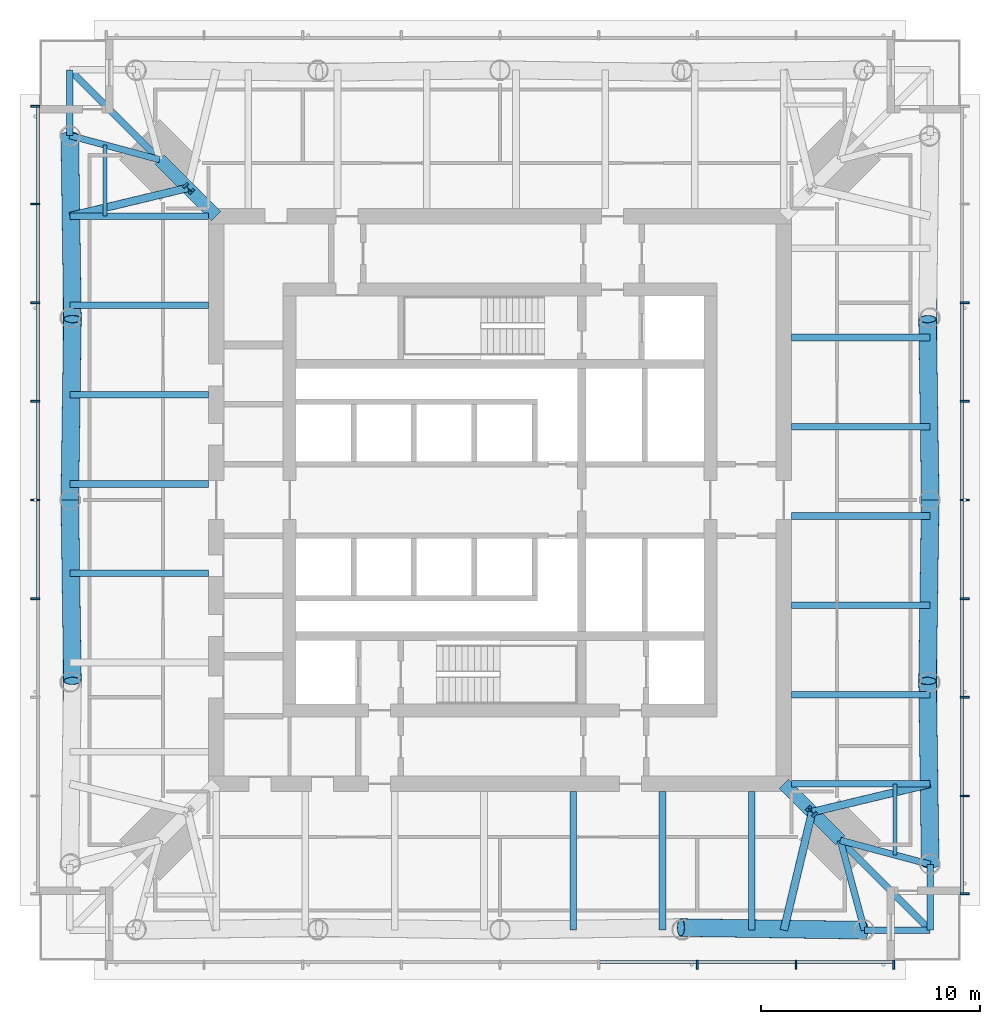
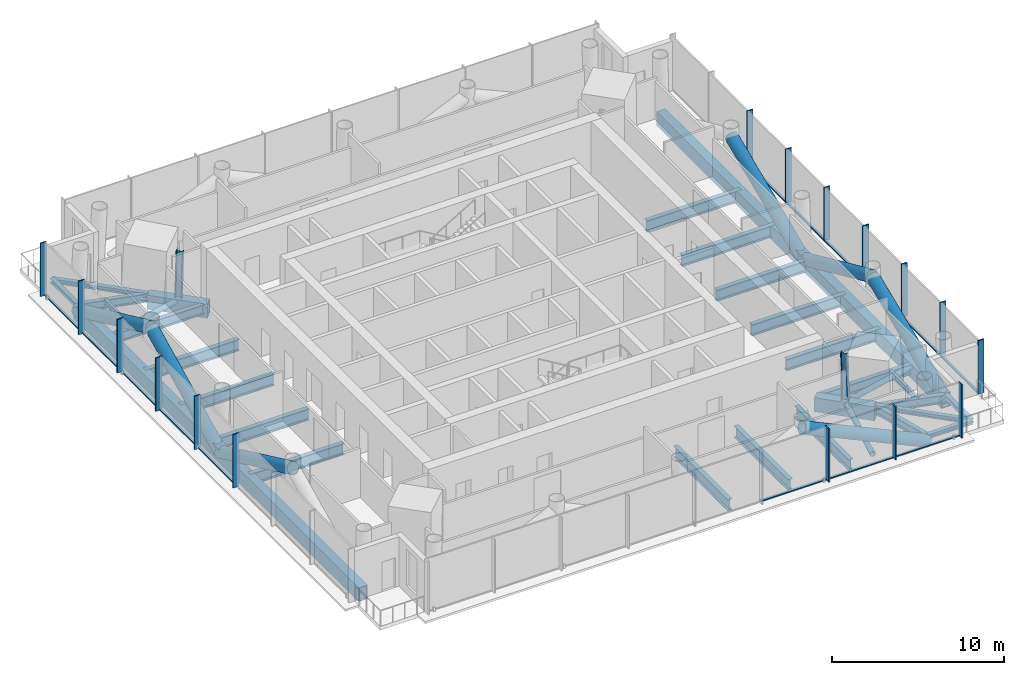
# One storey, part 2 of 13: 46 members, 24 beams, 3 elements without a shape of their own.
"""IFC4 building model written with IfcOpenShell, lengths in metres."""

from ifc_helpers import new_model, si_unit, direction, frame, origin, origin_2d, place, context, subcontext, project, spatial, rectangle, hollow_rectangle, hollow_circle, i_section, extrude, material, material_profile, profile_set, type_object, element, aggregate, save


model = new_model("IFC4")

# Units and contexts
model_context = context("Model", 3, precision=1e-05, world=origin(), true_north=direction((0.0, 1.0)))
body_context = subcontext(model_context, "Body", "Model", "MODEL_VIEW")
ifc_project = project(units=[si_unit("LENGTHUNIT", "METRE"), si_unit("AREAUNIT", "SQUARE_METRE"), si_unit("VOLUMEUNIT", "CUBIC_METRE"), si_unit("PLANEANGLEUNIT", "RADIAN"), si_unit("MASSUNIT", "GRAM", prefix="KILO")], contexts=[model_context])

# Site, building, storey
site_placement = place(None, origin())
site = spatial("IfcSite", under=ifc_project, at=site_placement, CompositionType="ELEMENT")
building_placement = place(site_placement, origin())
building = spatial("IfcBuilding", under=site, at=building_placement, Name="Ostroluk Exchange", CompositionType="ELEMENT")
storey_placement = place(building_placement, frame((0.0, 0.0, 157.800048828125)))
storey = spatial("IfcBuildingStorey", under=building, at=storey_placement, Name="L40", CompositionType="ELEMENT", Elevation=157.800048828125)

# Beams
ifc_material_1 = material(Name="Steel S355", Category="steel")
ifc_material_profile_1 = material_profile(ifc_material_1, i_section(OverallWidth=0.300048828125, OverallDepth=0.300048828125, WebThickness=0.010986328125, FlangeThickness=0.01904296875, FilletRadius=0.027099609375, at=origin_2d()), Name="HEB 300")
ifc_profile_set_1 = profile_set([ifc_material_profile_1], Name="Steel S355")
beam_type_1 = type_object("IfcBeamType", Name="Balcony beam HEB 300", PredefinedType="BEAM", material=ifc_profile_set_1)
beam_1_placement = place(storey_placement, frame((25.371337890625, 62.628662109375, -0.429931640625), z_axis=(0.0, 1.0, 0.0), x_axis=(-1.0, 0.0, 0.0)))
element("IfcBeam", 1, at=beam_1_placement, inside=storey, type_object=beam_type_1, Name="T1 north balcony beam b", PredefinedType="BEAM", context=body_context, shape_type="SweptSolid", body=[
    extrude(i_section(OverallWidth=0.300048828125, OverallDepth=0.300048828125, WebThickness=0.010986328125, FlangeThickness=0.01904296875, FilletRadius=0.027099609375, at=origin_2d()), origin(), (0.0, 0.0, 1.0), 3.0),
])
beam_2_placement = place(storey_placement, frame((29.471435546875, 61.528564453125, -0.429931640625), z_axis=(-0.707106781187, 0.707106781187, 0.0), x_axis=(-0.707106781187, -0.707106781187, 0.0)))
element("IfcBeam", 2, at=beam_2_placement, inside=storey, type_object=beam_type_1, Name="T1 north balcony beam c", PredefinedType="BEAM", context=body_context, shape_type="SweptSolid", body=[
    extrude(i_section(OverallWidth=0.300048828125, OverallDepth=0.300048828125, WebThickness=0.010986328125, FlangeThickness=0.01904296875, FilletRadius=0.027099609375, at=origin_2d()), origin(), (0.0, 0.0, 1.0), 5.79833984375),
])
for number, where, z_axis, x_axis, name in (
    (3, (61.628662109375, 26.371337890625, -0.429931640625), (1.0, 0.0, 0.0), (0.0, 1.0, 0.0), "T1 south balcony beam a"),
    (4, (64.628662109375, 29.371337890625, -0.429931640625), (0.0, -1.0, 0.0), (1.0, 0.0, 0.0), "T1 south balcony beam b"),
):
    element("IfcBeam", number, at=place(storey_placement, frame(where, z_axis=z_axis, x_axis=x_axis)), inside=storey, type_object=beam_type_1, Name=name, PredefinedType="BEAM", context=body_context, shape_type="SweptSolid", body=[
        extrude(i_section(OverallWidth=0.300048828125, OverallDepth=0.300048828125, WebThickness=0.010986328125, FlangeThickness=0.01904296875, FilletRadius=0.027099609375, at=origin_2d()), origin(), (0.0, 0.0, 1.0), 3.0),
    ])
beam_3_placement = place(storey_placement, frame((60.528564453125, 30.471435546875, -0.429931640625), z_axis=(0.707106781187, -0.707106781187, 0.0), x_axis=(0.707106781187, 0.707106781187, 0.0)))
element("IfcBeam", 5, at=beam_3_placement, inside=storey, type_object=beam_type_1, Name="T1 south balcony beam c", PredefinedType="BEAM", context=body_context, shape_type="SweptSolid", body=[
    extrude(i_section(OverallWidth=0.300048828125, OverallDepth=0.300048828125, WebThickness=0.010986328125, FlangeThickness=0.01904296875, FilletRadius=0.027099609375, at=origin_2d()), origin(), (0.0, 0.0, 1.0), 5.79833984375),
])

# Members
ifc_material_2 = material(Name="Steel S460", Category="steel")
ifc_material_profile_2 = material_profile(ifc_material_2, hollow_rectangle(XDim=0.60009765625, YDim=1.0, WallThickness=0.06005859375, at=origin_2d()), Name="BOX 600x1000x60")
ifc_profile_set_2 = profile_set([ifc_material_profile_2], Name="Steel S460")
member_type_1 = type_object("IfcMemberType", Name="Belt truss chord BOX 600x1000x60", PredefinedType="CHORD", material=ifc_profile_set_2)
for number, where, z_axis, x_axis, name in (
    (6, (64.628662109375, 29.371337890625, -0.780029296875), (0.0, 1.0, 0.0), (-1.0, 0.0, 0.0), "Belt truss 2 east chord 1"),
    (7, (25.371337890625, 62.628662109375, -0.780029296875), (0.0, -1.0, 0.0), (1.0, 0.0, 0.0), "Belt truss 2 west chord 1"),
):
    element("IfcMember", number, at=place(storey_placement, frame(where, z_axis=z_axis, x_axis=x_axis)), inside=storey, type_object=member_type_1, Name=name, PredefinedType="CHORD", context=body_context, shape_type="SweptSolid", body=[
        extrude(hollow_rectangle(XDim=0.60009765625, YDim=1.0, WallThickness=0.06005859375, at=origin_2d()), origin(), (0.0, 0.0, 1.0), 33.25732421875),
    ])
ifc_material_3 = material(Name="Steel S460", Category="steel")
ifc_material_profile_3 = material_profile(ifc_material_3, hollow_circle(Radius=0.406494140625, WallThickness=0.030029296875, at=origin_2d()), Name="CHS 813x30")
ifc_profile_set_3 = profile_set([ifc_material_profile_3], Name="Steel S460")
member_type_2 = type_object("IfcMemberType", Name="Belt truss diagonal CHS 813x30", PredefinedType="BRACE", material=ifc_profile_set_3)
member_1_placement = place(storey_placement, frame((64.628662109375, 29.371337890625, -0.780029296875), z_axis=(-0.013218891856, 0.910563988426, 0.413156730406), x_axis=(-0.999894641271, -0.014515727943, 0.0)))
element("IfcMember", 8, at=member_1_placement, inside=storey, type_object=member_type_2, Name="Belt truss 2 east diagonal 1.1", PredefinedType="BRACE", context=body_context, shape_type="SweptSolid", body=[
    extrude(hollow_circle(Radius=0.406494140625, WallThickness=0.030029296875, at=origin_2d()), origin(), (0.0, 0.0, 1.0), 9.197509765625),
])
for number, where, z_axis, x_axis, name in (
    (9, (64.628662109375, 46.0, -0.780029296875), (-0.013379410356, -0.908268525886, 0.418173739327), (0.99989152123, -0.014729079113, 0.0), "Belt truss 2 east diagonal 1.2"),
    (10, (64.628662109375, 46.0, -0.780029296875), (-0.013379410356, 0.908268525886, 0.418173739327), (-0.99989152123, -0.014729079113, 0.0), "Belt truss 2 east diagonal 1.3"),
):
    element("IfcMember", number, at=place(storey_placement, frame(where, z_axis=z_axis, x_axis=x_axis)), inside=storey, type_object=member_type_2, Name=name, PredefinedType="BRACE", context=body_context, shape_type="SweptSolid", body=[
        extrude(hollow_circle(Radius=0.406494140625, WallThickness=0.030029296875, at=origin_2d()), origin(), (0.0, 0.0, 1.0), 9.087158203125),
    ])
member_2_placement = place(storey_placement, frame((25.371337890625, 62.628662109375, -0.780029296875), z_axis=(0.013218891856, -0.910563988426, 0.413156730406), x_axis=(0.999894641271, 0.014515727943, 0.0)))
element("IfcMember", 11, at=member_2_placement, inside=storey, type_object=member_type_2, Name="Belt truss 2 west diagonal 1.1", PredefinedType="BRACE", context=body_context, shape_type="SweptSolid", body=[
    extrude(hollow_circle(Radius=0.406494140625, WallThickness=0.030029296875, at=origin_2d()), origin(), (0.0, 0.0, 1.0), 9.197509765625),
])
for number, where, z_axis, x_axis, name in (
    (12, (25.371337890625, 46.0, -0.780029296875), (0.013379410356, 0.908268525886, 0.418173739327), (-0.99989152123, 0.014729079113, 0.0), "Belt truss 2 west diagonal 1.2"),
    (13, (25.371337890625, 46.0, -0.780029296875), (0.013379410356, -0.908268525886, 0.418173739327), (0.99989152123, 0.014729079113, 0.0), "Belt truss 2 west diagonal 1.3"),
):
    element("IfcMember", number, at=place(storey_placement, frame(where, z_axis=z_axis, x_axis=x_axis)), inside=storey, type_object=member_type_2, Name=name, PredefinedType="BRACE", context=body_context, shape_type="SweptSolid", body=[
        extrude(hollow_circle(Radius=0.406494140625, WallThickness=0.030029296875, at=origin_2d()), origin(), (0.0, 0.0, 1.0), 9.087158203125),
    ])
member_3_placement = place(storey_placement, frame((61.628662109375, 26.371337890625, -0.780029296875), z_axis=(-0.910563988426, 0.013218891856, 0.413156730406), x_axis=(-0.014515727943, -0.999894641271, 0.0)))
element("IfcMember", 14, at=member_3_placement, inside=storey, type_object=member_type_2, Name="Belt truss 2 south diagonal 1.4", PredefinedType="BRACE", context=body_context, shape_type="SweptSolid", body=[
    extrude(hollow_circle(Radius=0.406494140625, WallThickness=0.030029296875, at=origin_2d()), origin(), (0.0, 0.0, 1.0), 9.197509765625),
])

# Beams
ifc_material_4 = material(Name="Steel S355", Category="steel")
ifc_material_profile_4 = material_profile(ifc_material_4, i_section(OverallWidth=0.300048828125, OverallDepth=0.60009765625, WebThickness=0.015380859375, FlangeThickness=0.030029296875, FilletRadius=0.027099609375, at=origin_2d()), Name="HEB 600")
ifc_profile_set_4 = profile_set([ifc_material_profile_4], Name="Steel S355")
beam_type_2 = type_object("IfcBeamType", Name="Corner edge beam HEB 600", PredefinedType="SPANDREL", material=ifc_profile_set_4)
for number, where, z_axis, x_axis, name in (
    (15, (29.471435546875, 61.528564453125, -0.580078125), (-0.965838624319, 0.259144268261, 0.0), (-0.259144268261, -0.965838624319, 0.0), "T1 north corner edge beam b"),
    (16, (60.528564453125, 30.471435546875, -0.580078125), (0.259144268261, -0.965838624319, 0.0), (0.965838624319, 0.259144268261, 0.0), "T1 south corner edge beam a"),
    (17, (60.528564453125, 30.471435546875, -0.580078125), (0.965838624319, -0.259144268261, 0.0), (0.259144268261, 0.965838624319, 0.0), "T1 south corner edge beam b"),
):
    element("IfcBeam", number, at=place(storey_placement, frame(where, z_axis=z_axis, x_axis=x_axis)), inside=storey, type_object=beam_type_2, Name=name, PredefinedType="SPANDREL", context=body_context, shape_type="SweptSolid", body=[
        extrude(i_section(OverallWidth=0.300048828125, OverallDepth=0.60009765625, WebThickness=0.015380859375, FlangeThickness=0.030029296875, FilletRadius=0.027099609375, at=origin_2d()), origin(), (0.0, 0.0, 1.0), 4.2451171875),
    ])
ifc_material_5 = material(Name="Steel S355", Category="steel")
ifc_material_profile_5 = material_profile(ifc_material_5, i_section(OverallWidth=0.302978515625, OverallDepth=0.81396484375, WebThickness=0.02099609375, FlangeThickness=0.0400390625, FilletRadius=0.030029296875, at=origin_2d()), Name="HEM 800")
ifc_profile_set_5 = profile_set([ifc_material_profile_5], Name="Steel S355")
beam_type_3 = type_object("IfcBeamType", Name="Floor beam HEM 800", PredefinedType="BEAM", material=ifc_profile_set_5)
for number, where, z_axis, x_axis, name in (
    (18, (58.300048828125, 37.122314453125, -0.68701171875), (1.0, 0.0, 0.0), (0.0, 1.0, 0.0), "T1 east floor beam 1"),
    (19, (58.300048828125, 41.194580078125, -0.68701171875), (1.0, 0.0, 0.0), (0.0, 1.0, 0.0), "T1 east floor beam 2"),
    (20, (58.300048828125, 45.266845703125, -0.68701171875), (1.0, 0.0, 0.0), (0.0, 1.0, 0.0), "T1 east floor beam 3"),
    (21, (58.300048828125, 49.33935546875, -0.68701171875), (1.0, 0.0, 0.0), (0.0, 1.0, 0.0), "T1 east floor beam 4"),
    (22, (58.300048828125, 53.41162109375, -0.68701171875), (1.0, 0.0, 0.0), (0.0, 1.0, 0.0), "T1 east floor beam 5"),
    (23, (31.699951171875, 54.877685546875, -0.68701171875), (-1.0, 0.0, 0.0), (0.0, -1.0, 0.0), "T1 west floor beam 1"),
    (24, (31.699951171875, 50.805419921875, -0.68701171875), (-1.0, 0.0, 0.0), (0.0, -1.0, 0.0), "T1 west floor beam 2"),
    (25, (31.699951171875, 46.733154296875, -0.68701171875), (-1.0, 0.0, 0.0), (0.0, -1.0, 0.0), "T1 west floor beam 3"),
    (26, (31.699951171875, 42.66064453125, -0.68701171875), (-1.0, 0.0, 0.0), (0.0, -1.0, 0.0), "T1 west floor beam 4"),
    (27, (48.33935546875, 32.699951171875, -0.68701171875), (0.0, -1.0, 0.0), (1.0, 0.0, 0.0), "T1 south floor beam 4"),
    (28, (52.41162109375, 32.699951171875, -0.68701171875), (0.0, -1.0, 0.0), (1.0, 0.0, 0.0), "T1 south floor beam 5"),
    (29, (56.48388671875, 32.699951171875, -0.68701171875), (0.0, -1.0, 0.0), (1.0, 0.0, 0.0), "T1 south floor beam 6"),
):
    element("IfcBeam", number, at=place(storey_placement, frame(where, z_axis=z_axis, x_axis=x_axis)), inside=storey, type_object=beam_type_3, Name=name, PredefinedType="BEAM", context=body_context, shape_type="SweptSolid", body=[
        extrude(i_section(OverallWidth=0.302978515625, OverallDepth=0.81396484375, WebThickness=0.02099609375, FlangeThickness=0.0400390625, FilletRadius=0.030029296875, at=origin_2d()), origin(), (0.0, 0.0, 1.0), 6.32861328125),
    ])
ifc_material_6 = material(Name="Steel S355", Category="steel")
ifc_material_profile_6 = material_profile(ifc_material_6, i_section(OverallWidth=0.179931640625, OverallDepth=0.39990234375, WebThickness=0.008544921875, FlangeThickness=0.013427734375, FilletRadius=0.02099609375, at=origin_2d()), Name="IPE 400")
ifc_profile_set_6 = profile_set([ifc_material_profile_6], Name="Steel S355")
beam_type_4 = type_object("IfcBeamType", Name="Floor beam IPE 400", PredefinedType="BEAM", material=ifc_profile_set_6)
for number, where, z_axis, x_axis, name in (
    (30, (26.971435546875, 58.949951171875, -0.47998046875), (0.0, 1.0, 0.0), (-1.0, 0.0, 0.0), "T1 north floor beam 7"),
    (31, (63.028564453125, 33.050048828125, -0.47998046875), (0.0, -1.0, 0.0), (1.0, 0.0, 0.0), "T1 south floor beam 7"),
):
    element("IfcBeam", number, at=place(storey_placement, frame(where, z_axis=z_axis, x_axis=x_axis)), inside=storey, type_object=beam_type_4, Name=name, PredefinedType="BEAM", context=body_context, shape_type="SweptSolid", body=[
        extrude(i_section(OverallWidth=0.179931640625, OverallDepth=0.39990234375, WebThickness=0.008544921875, FlangeThickness=0.013427734375, FilletRadius=0.02099609375, at=origin_2d()), origin(), (0.0, 0.0, 1.0), 3.249267578125),
    ])
ifc_material_7 = material(Name="Steel S355", Category="steel")
ifc_material_profile_7 = material_profile(ifc_material_7, i_section(OverallWidth=0.300048828125, OverallDepth=0.699951171875, WebThickness=0.01708984375, FlangeThickness=0.031982421875, FilletRadius=0.027099609375, at=origin_2d()), Name="HEB 700")
ifc_profile_set_7 = profile_set([ifc_material_profile_7], Name="Steel S355")
beam_type_5 = type_object("IfcBeamType", Name="Girder HEB 700", PredefinedType="BEAM", material=ifc_profile_set_7)
for number, where, z_axis, x_axis, name in (
    (32, (31.699951171875, 58.949951171875, -0.630126953125), (-1.0, 0.0, 0.0), (0.0, -1.0, 0.0), "T1 north girder"),
    (33, (58.300048828125, 33.050048828125, -0.630126953125), (1.0, 0.0, 0.0), (0.0, 1.0, 0.0), "T1 south girder"),
):
    element("IfcBeam", number, at=place(storey_placement, frame(where, z_axis=z_axis, x_axis=x_axis)), inside=storey, type_object=beam_type_5, Name=name, PredefinedType="BEAM", context=body_context, shape_type="SweptSolid", body=[
        extrude(i_section(OverallWidth=0.300048828125, OverallDepth=0.699951171875, WebThickness=0.01708984375, FlangeThickness=0.031982421875, FilletRadius=0.027099609375, at=origin_2d()), origin(), (0.0, 0.0, 1.0), 6.32861328125),
    ])

# Members
ifc_material_8 = material(Name="Steel S460", Category="steel")
ifc_material_profile_8 = material_profile(ifc_material_8, hollow_rectangle(XDim=0.60009765625, YDim=1.0, WallThickness=0.06005859375, at=origin_2d()), Name="BOX 600x1000x60")
ifc_profile_set_8 = profile_set([ifc_material_profile_8], Name="Steel S460")
member_type_3 = type_object("IfcMemberType", Name="Outrigger chord BOX 600x1000x60", PredefinedType="CHORD", material=ifc_profile_set_8)
for number, where, z_axis, x_axis, name in (
    (34, (32.050048828125, 58.949951171875, -0.780029296875), (-0.707106781187, 0.707106781187, 0.0), (-0.707106781187, -0.707106781187, 0.0), "Outrigger 2 NW chord 1"),
    (35, (57.949951171875, 33.050048828125, -0.780029296875), (0.707106781187, -0.707106781187, 0.0), (0.707106781187, 0.707106781187, 0.0), "Outrigger 2 SE chord 1"),
):
    element("IfcMember", number, at=place(storey_placement, frame(where, z_axis=z_axis, x_axis=x_axis)), inside=storey, type_object=member_type_3, Name=name, PredefinedType="CHORD", context=body_context, shape_type="SweptSolid", body=[
        extrude(hollow_rectangle(XDim=0.60009765625, YDim=1.0, WallThickness=0.06005859375, at=origin_2d()), origin(), (0.0, 0.0, 1.0), 3.646728515625),
    ])
ifc_material_9 = material(Name="Steel S460", Category="steel")
ifc_material_profile_9 = material_profile(ifc_material_9, i_section(OverallWidth=0.306884765625, OverallDepth=0.431884765625, WebThickness=0.02099609375, FlangeThickness=0.0400390625, FilletRadius=0.027099609375, at=origin_2d()), Name="HEM 400")
ifc_profile_set_9 = profile_set([ifc_material_profile_9], Name="Steel S460")
member_type_4 = type_object("IfcMemberType", Name="Outrigger post HEM 400", PredefinedType="POST", material=ifc_profile_set_9)
for number, where, z_axis, x_axis, name in (
    (36, (30.7607421875, 60.2392578125, -0.780029296875), (0.015993337676, -0.015993337676, 0.999744180428), (0.707106781187, 0.707106781187, 0.0), "Outrigger 2 NW post 1"),
    (37, (59.2392578125, 31.7607421875, -0.780029296875), (-0.015993337676, 0.015993337676, 0.999744180428), (-0.707106781187, -0.707106781187, 0.0), "Outrigger 2 SE post 1"),
):
    element("IfcMember", number, at=place(storey_placement, frame(where, z_axis=z_axis, x_axis=x_axis)), inside=storey, type_object=member_type_4, Name=name, PredefinedType="POST", context=body_context, shape_type="SweptSolid", body=[
        extrude(i_section(OverallWidth=0.306884765625, OverallDepth=0.431884765625, WebThickness=0.02099609375, FlangeThickness=0.0400390625, FilletRadius=0.027099609375, at=origin_2d()), origin(), (0.0, 0.0, 1.0), 3.801025390625),
    ])
ifc_material_10 = material(Name="Steel S460", Category="steel")
ifc_material_profile_10 = material_profile(ifc_material_10, hollow_circle(Radius=0.177734375, WallThickness=0.012451171875, at=origin_2d()), Name="CHS 355.6x12.5")
ifc_profile_set_10 = profile_set([ifc_material_profile_10], Name="Steel S460")
member_type_5 = type_object("IfcMemberType", Name="Plan bracing CHS 355.6x12.5", PredefinedType="BRACE", material=ifc_profile_set_10)
for number, where, z_axis, x_axis, name in (
    (38, (30.7607421875, 60.2392578125, -0.457763671875), (-0.972557006589, -0.232664713558, 0.0), (0.232664713558, -0.972557006589, 0.0), "Plan bracing L40 NW b"),
    (39, (59.2392578125, 31.7607421875, -0.457763671875), (-0.232664713558, -0.972557006589, 0.0), (0.972557006589, -0.232664713558, 0.0), "Plan bracing L40 SE a"),
    (40, (59.2392578125, 31.7607421875, -0.457763671875), (0.972557006589, 0.232664713558, 0.0), (-0.232664713558, 0.972557006589, 0.0), "Plan bracing L40 SE b"),
):
    element("IfcMember", number, at=place(storey_placement, frame(where, z_axis=z_axis, x_axis=x_axis)), inside=storey, type_object=member_type_5, Name=name, PredefinedType="BRACE", context=body_context, shape_type="SweptSolid", body=[
        extrude(hollow_circle(Radius=0.177734375, WallThickness=0.012451171875, at=origin_2d()), origin(), (0.0, 0.0, 1.0), 5.54150390625),
    ])

# Curtain wall, members
ifc_material_11 = material(Name="Laminated clear glass", Category="glass")
curtain_wall_type = type_object("IfcCurtainWallType", Name="Office tower plant and sky lobby facade", PredefinedType="USERDEFINED", material=ifc_material_11)
curtain_wall_1_placement = place(storey_placement, origin())
curtain_wall_1 = element("IfcCurtainWall", 41, at=curtain_wall_1_placement, inside=storey, type_object=curtain_wall_type, Name="Office tower south facade L40", ObjectType="LOUVRED CURTAIN WALL", PredefinedType="USERDEFINED")
ifc_material_12 = material(Name="Aluminium mullion", Category="aluminium")
ifc_material_profile_11 = material_profile(ifc_material_12, rectangle(XDim=0.14990234375, YDim=0.080078125, at=origin_2d()), Name="Sill transom 80 x 150")
ifc_profile_set_11 = profile_set([ifc_material_profile_11], Name="Aluminium mullion")
member_type_6 = type_object("IfcMemberType", Name="Sill transom 80 x 150", PredefinedType="USERDEFINED", material=ifc_profile_set_11)
member_4_placement = place(storey_placement, frame((49.5400390625, 24.925048828125, 0.0400390625), z_axis=(1.0, 0.0, 0.0), x_axis=(0.0, 1.0, 0.0)))
member_4 = element("IfcMember", 42, at=member_4_placement, type_object=member_type_6, Name="CW-P1 transom 6.1", ObjectType="TRANSOM", PredefinedType="USERDEFINED", context=body_context, shape_type="SweptSolid", body=[
    extrude(rectangle(XDim=0.14990234375, YDim=0.080078125, at=origin_2d()), origin(), (0.0, 0.0, 1.0), 4.419921875),
])
member_5_placement = place(storey_placement, frame((54.0400390625, 24.925048828125, 0.0400390625), z_axis=(1.0, 0.0, 0.0), x_axis=(0.0, 1.0, 0.0)))
member_5 = element("IfcMember", 43, at=member_5_placement, type_object=member_type_6, Name="CW-P1 transom 7.1", ObjectType="TRANSOM", PredefinedType="USERDEFINED", context=body_context, shape_type="SweptSolid", body=[
    extrude(rectangle(XDim=0.14990234375, YDim=0.080078125, at=origin_2d()), origin(), (0.0, 0.0, 1.0), 4.419921875),
])
member_6_placement = place(storey_placement, frame((58.5400390625, 24.925048828125, 0.0400390625), z_axis=(1.0, 0.0, 0.0), x_axis=(0.0, 1.0, 0.0)))
member_6 = element("IfcMember", 44, at=member_6_placement, type_object=member_type_6, Name="CW-P1 transom 8.1", ObjectType="TRANSOM", PredefinedType="USERDEFINED", context=body_context, shape_type="SweptSolid", body=[
    extrude(rectangle(XDim=0.14990234375, YDim=0.080078125, at=origin_2d()), origin(), (0.0, 0.0, 1.0), 4.3798828125),
])

curtain_wall_2_placement = place(storey_placement, origin())
curtain_wall_2 = element("IfcCurtainWall", 45, at=curtain_wall_2_placement, inside=storey, type_object=curtain_wall_type, Name="Office tower east facade L40", ObjectType="LOUVRED CURTAIN WALL", PredefinedType="USERDEFINED")
member_7_placement = place(storey_placement, frame((66.074951171875, 28.080078125, 0.0400390625), z_axis=(0.0, 1.0, 0.0), x_axis=(-1.0, 0.0, 0.0)))
member_7 = element("IfcMember", 46, at=member_7_placement, type_object=member_type_6, Name="CW-P1 transom 1.1", ObjectType="TRANSOM", PredefinedType="USERDEFINED", context=body_context, shape_type="SweptSolid", body=[
    extrude(rectangle(XDim=0.14990234375, YDim=0.080078125, at=origin_2d()), origin(), (0.0, 0.0, 1.0), 4.3798828125),
])
member_8_placement = place(storey_placement, frame((66.074951171875, 32.5400390625, 0.0400390625), z_axis=(0.0, 1.0, 0.0), x_axis=(-1.0, 0.0, 0.0)))
member_8 = element("IfcMember", 47, at=member_8_placement, type_object=member_type_6, Name="CW-P1 transom 2.1", ObjectType="TRANSOM", PredefinedType="USERDEFINED", context=body_context, shape_type="SweptSolid", body=[
    extrude(rectangle(XDim=0.14990234375, YDim=0.080078125, at=origin_2d()), origin(), (0.0, 0.0, 1.0), 4.419921875),
])
member_9_placement = place(storey_placement, frame((66.074951171875, 37.0400390625, 0.0400390625), z_axis=(0.0, 1.0, 0.0), x_axis=(-1.0, 0.0, 0.0)))
member_9 = element("IfcMember", 48, at=member_9_placement, type_object=member_type_6, Name="CW-P1 transom 3.1", ObjectType="TRANSOM", PredefinedType="USERDEFINED", context=body_context, shape_type="SweptSolid", body=[
    extrude(rectangle(XDim=0.14990234375, YDim=0.080078125, at=origin_2d()), origin(), (0.0, 0.0, 1.0), 4.419921875),
])
member_10_placement = place(storey_placement, frame((66.074951171875, 41.5400390625, 0.0400390625), z_axis=(0.0, 1.0, 0.0), x_axis=(-1.0, 0.0, 0.0)))
member_10 = element("IfcMember", 49, at=member_10_placement, type_object=member_type_6, Name="CW-P1 transom 4.1", ObjectType="TRANSOM", PredefinedType="USERDEFINED", context=body_context, shape_type="SweptSolid", body=[
    extrude(rectangle(XDim=0.14990234375, YDim=0.080078125, at=origin_2d()), origin(), (0.0, 0.0, 1.0), 4.419921875),
])
member_11_placement = place(storey_placement, frame((66.074951171875, 46.0400390625, 0.0400390625), z_axis=(0.0, 1.0, 0.0), x_axis=(-1.0, 0.0, 0.0)))
member_11 = element("IfcMember", 50, at=member_11_placement, type_object=member_type_6, Name="CW-P1 transom 5.1", ObjectType="TRANSOM", PredefinedType="USERDEFINED", context=body_context, shape_type="SweptSolid", body=[
    extrude(rectangle(XDim=0.14990234375, YDim=0.080078125, at=origin_2d()), origin(), (0.0, 0.0, 1.0), 4.419921875),
])
member_12_placement = place(storey_placement, frame((66.074951171875, 50.5400390625, 0.0400390625), z_axis=(0.0, 1.0, 0.0), x_axis=(-1.0, 0.0, 0.0)))
member_12 = element("IfcMember", 51, at=member_12_placement, type_object=member_type_6, Name="CW-P1 transom 6.1", ObjectType="TRANSOM", PredefinedType="USERDEFINED", context=body_context, shape_type="SweptSolid", body=[
    extrude(rectangle(XDim=0.14990234375, YDim=0.080078125, at=origin_2d()), origin(), (0.0, 0.0, 1.0), 4.419921875),
])

curtain_wall_3_placement = place(storey_placement, origin())
curtain_wall_3 = element("IfcCurtainWall", 52, at=curtain_wall_3_placement, inside=storey, type_object=curtain_wall_type, Name="Office tower west facade L40", ObjectType="LOUVRED CURTAIN WALL", PredefinedType="USERDEFINED")
member_13_placement = place(storey_placement, frame((23.925048828125, 63.919921875, 0.0400390625), z_axis=(0.0, -1.0, 0.0), x_axis=(1.0, 0.0, 0.0)))
member_13 = element("IfcMember", 53, at=member_13_placement, type_object=member_type_6, Name="CW-P1 transom 1.1", ObjectType="TRANSOM", PredefinedType="USERDEFINED", context=body_context, shape_type="SweptSolid", body=[
    extrude(rectangle(XDim=0.14990234375, YDim=0.080078125, at=origin_2d()), origin(), (0.0, 0.0, 1.0), 4.3798828125),
])
member_14_placement = place(storey_placement, frame((23.925048828125, 59.4599609375, 0.0400390625), z_axis=(0.0, -1.0, 0.0), x_axis=(1.0, 0.0, 0.0)))
member_14 = element("IfcMember", 54, at=member_14_placement, type_object=member_type_6, Name="CW-P1 transom 2.1", ObjectType="TRANSOM", PredefinedType="USERDEFINED", context=body_context, shape_type="SweptSolid", body=[
    extrude(rectangle(XDim=0.14990234375, YDim=0.080078125, at=origin_2d()), origin(), (0.0, 0.0, 1.0), 4.419921875),
])
member_15_placement = place(storey_placement, frame((23.925048828125, 54.9599609375, 0.0400390625), z_axis=(0.0, -1.0, 0.0), x_axis=(1.0, 0.0, 0.0)))
member_15 = element("IfcMember", 55, at=member_15_placement, type_object=member_type_6, Name="CW-P1 transom 3.1", ObjectType="TRANSOM", PredefinedType="USERDEFINED", context=body_context, shape_type="SweptSolid", body=[
    extrude(rectangle(XDim=0.14990234375, YDim=0.080078125, at=origin_2d()), origin(), (0.0, 0.0, 1.0), 4.419921875),
])
member_16_placement = place(storey_placement, frame((23.925048828125, 50.4599609375, 0.0400390625), z_axis=(0.0, -1.0, 0.0), x_axis=(1.0, 0.0, 0.0)))
member_16 = element("IfcMember", 56, at=member_16_placement, type_object=member_type_6, Name="CW-P1 transom 4.1", ObjectType="TRANSOM", PredefinedType="USERDEFINED", context=body_context, shape_type="SweptSolid", body=[
    extrude(rectangle(XDim=0.14990234375, YDim=0.080078125, at=origin_2d()), origin(), (0.0, 0.0, 1.0), 4.419921875),
])
member_17_placement = place(storey_placement, frame((23.925048828125, 45.9599609375, 0.0400390625), z_axis=(0.0, -1.0, 0.0), x_axis=(1.0, 0.0, 0.0)))
member_17 = element("IfcMember", 57, at=member_17_placement, type_object=member_type_6, Name="CW-P1 transom 5.1", ObjectType="TRANSOM", PredefinedType="USERDEFINED", context=body_context, shape_type="SweptSolid", body=[
    extrude(rectangle(XDim=0.14990234375, YDim=0.080078125, at=origin_2d()), origin(), (0.0, 0.0, 1.0), 4.419921875),
])

# Member
ifc_material_13 = material(Name="Aluminium mullion with limestone facing", Category="masonry")
ifc_material_profile_12 = material_profile(ifc_material_13, rectangle(XDim=0.39990234375, YDim=0.080078125, at=origin_2d()), Name="Tracery mullion 80 x 400")
ifc_profile_set_12 = profile_set([ifc_material_profile_12], Name="Aluminium mullion with limestone facing")
member_type_7 = type_object("IfcMemberType", Name="Tracery mullion 80 x 400", PredefinedType="MULLION", material=ifc_profile_set_12)
member_18_placement = place(storey_placement, frame((54.0, 24.800048828125, 0.0), z_axis=(0.0, 0.0, 1.0), x_axis=(0.0, 1.0, 0.0)))
member_18 = element("IfcMember", 58, at=member_18_placement, type_object=member_type_7, Name="CW-P1 mullion 7", PredefinedType="MULLION", context=body_context, shape_type="SweptSolid", body=[
    extrude(rectangle(XDim=0.39990234375, YDim=0.080078125, at=origin_2d()), origin(), (0.0, 0.0, 1.0), 3.800048828125),
])

member_19_placement = place(storey_placement, frame((58.5, 24.800048828125, 0.0), z_axis=(0.0, 0.0, 1.0), x_axis=(0.0, 1.0, 0.0)))
member_19 = element("IfcMember", 59, at=member_19_placement, type_object=member_type_7, Name="CW-P1 mullion 8", PredefinedType="MULLION", context=body_context, shape_type="SweptSolid", body=[
    extrude(rectangle(XDim=0.39990234375, YDim=0.080078125, at=origin_2d()), origin(), (0.0, 0.0, 1.0), 3.800048828125),
])

member_20_placement = place(storey_placement, frame((62.9599609375, 24.800048828125, 0.0), z_axis=(0.0, 0.0, 1.0), x_axis=(0.0, 1.0, 0.0)))
member_20 = element("IfcMember", 60, at=member_20_placement, type_object=member_type_7, Name="CW-P1 mullion 9", PredefinedType="MULLION", context=body_context, shape_type="SweptSolid", body=[
    extrude(rectangle(XDim=0.39990234375, YDim=0.080078125, at=origin_2d()), origin(), (0.0, 0.0, 1.0), 3.800048828125),
])

aggregate(curtain_wall_1, [member_18, member_19, member_20, member_4, member_5, member_6])

member_21_placement = place(storey_placement, frame((66.199951171875, 28.0400390625, 0.0), z_axis=(0.0, 0.0, 1.0), x_axis=(-1.0, 0.0, 0.0)))
member_21 = element("IfcMember", 61, at=member_21_placement, type_object=member_type_7, Name="CW-P1 mullion 1", PredefinedType="MULLION", context=body_context, shape_type="SweptSolid", body=[
    extrude(rectangle(XDim=0.39990234375, YDim=0.080078125, at=origin_2d()), origin(), (0.0, 0.0, 1.0), 3.800048828125),
])

member_22_placement = place(storey_placement, frame((66.199951171875, 32.5, 0.0), z_axis=(0.0, 0.0, 1.0), x_axis=(-1.0, 0.0, 0.0)))
member_22 = element("IfcMember", 62, at=member_22_placement, type_object=member_type_7, Name="CW-P1 mullion 2", PredefinedType="MULLION", context=body_context, shape_type="SweptSolid", body=[
    extrude(rectangle(XDim=0.39990234375, YDim=0.080078125, at=origin_2d()), origin(), (0.0, 0.0, 1.0), 3.800048828125),
])

member_23_placement = place(storey_placement, frame((66.199951171875, 37.0, 0.0), z_axis=(0.0, 0.0, 1.0), x_axis=(-1.0, 0.0, 0.0)))
member_23 = element("IfcMember", 63, at=member_23_placement, type_object=member_type_7, Name="CW-P1 mullion 3", PredefinedType="MULLION", context=body_context, shape_type="SweptSolid", body=[
    extrude(rectangle(XDim=0.39990234375, YDim=0.080078125, at=origin_2d()), origin(), (0.0, 0.0, 1.0), 3.800048828125),
])

member_24_placement = place(storey_placement, frame((66.199951171875, 41.5, 0.0), z_axis=(0.0, 0.0, 1.0), x_axis=(-1.0, 0.0, 0.0)))
member_24 = element("IfcMember", 64, at=member_24_placement, type_object=member_type_7, Name="CW-P1 mullion 4", PredefinedType="MULLION", context=body_context, shape_type="SweptSolid", body=[
    extrude(rectangle(XDim=0.39990234375, YDim=0.080078125, at=origin_2d()), origin(), (0.0, 0.0, 1.0), 3.800048828125),
])

member_25_placement = place(storey_placement, frame((66.199951171875, 46.0, 0.0), z_axis=(0.0, 0.0, 1.0), x_axis=(-1.0, 0.0, 0.0)))
member_25 = element("IfcMember", 65, at=member_25_placement, type_object=member_type_7, Name="CW-P1 mullion 5", PredefinedType="MULLION", context=body_context, shape_type="SweptSolid", body=[
    extrude(rectangle(XDim=0.39990234375, YDim=0.080078125, at=origin_2d()), origin(), (0.0, 0.0, 1.0), 3.800048828125),
])

member_26_placement = place(storey_placement, frame((66.199951171875, 50.5, 0.0), z_axis=(0.0, 0.0, 1.0), x_axis=(-1.0, 0.0, 0.0)))
member_26 = element("IfcMember", 66, at=member_26_placement, type_object=member_type_7, Name="CW-P1 mullion 6", PredefinedType="MULLION", context=body_context, shape_type="SweptSolid", body=[
    extrude(rectangle(XDim=0.39990234375, YDim=0.080078125, at=origin_2d()), origin(), (0.0, 0.0, 1.0), 3.800048828125),
])

member_27_placement = place(storey_placement, frame((66.199951171875, 55.0, 0.0), z_axis=(0.0, 0.0, 1.0), x_axis=(-1.0, 0.0, 0.0)))
member_27 = element("IfcMember", 67, at=member_27_placement, type_object=member_type_7, Name="CW-P1 mullion 7", PredefinedType="MULLION", context=body_context, shape_type="SweptSolid", body=[
    extrude(rectangle(XDim=0.39990234375, YDim=0.080078125, at=origin_2d()), origin(), (0.0, 0.0, 1.0), 3.800048828125),
])

aggregate(curtain_wall_2, [member_21, member_22, member_23, member_24, member_25, member_26, member_27, member_7, member_8, member_9, member_10, member_11, member_12])

member_28_placement = place(storey_placement, frame((23.800048828125, 63.9599609375, 0.0), z_axis=(0.0, 0.0, 1.0), x_axis=(1.0, 0.0, 0.0)))
member_28 = element("IfcMember", 68, at=member_28_placement, type_object=member_type_7, Name="CW-P1 mullion 1", PredefinedType="MULLION", context=body_context, shape_type="SweptSolid", body=[
    extrude(rectangle(XDim=0.39990234375, YDim=0.080078125, at=origin_2d()), origin(), (0.0, 0.0, 1.0), 3.800048828125),
])

member_29_placement = place(storey_placement, frame((23.800048828125, 59.5, 0.0), z_axis=(0.0, 0.0, 1.0), x_axis=(1.0, 0.0, 0.0)))
member_29 = element("IfcMember", 69, at=member_29_placement, type_object=member_type_7, Name="CW-P1 mullion 2", PredefinedType="MULLION", context=body_context, shape_type="SweptSolid", body=[
    extrude(rectangle(XDim=0.39990234375, YDim=0.080078125, at=origin_2d()), origin(), (0.0, 0.0, 1.0), 3.800048828125),
])

member_30_placement = place(storey_placement, frame((23.800048828125, 55.0, 0.0), z_axis=(0.0, 0.0, 1.0), x_axis=(1.0, 0.0, 0.0)))
member_30 = element("IfcMember", 70, at=member_30_placement, type_object=member_type_7, Name="CW-P1 mullion 3", PredefinedType="MULLION", context=body_context, shape_type="SweptSolid", body=[
    extrude(rectangle(XDim=0.39990234375, YDim=0.080078125, at=origin_2d()), origin(), (0.0, 0.0, 1.0), 3.800048828125),
])

member_31_placement = place(storey_placement, frame((23.800048828125, 50.5, 0.0), z_axis=(0.0, 0.0, 1.0), x_axis=(1.0, 0.0, 0.0)))
member_31 = element("IfcMember", 71, at=member_31_placement, type_object=member_type_7, Name="CW-P1 mullion 4", PredefinedType="MULLION", context=body_context, shape_type="SweptSolid", body=[
    extrude(rectangle(XDim=0.39990234375, YDim=0.080078125, at=origin_2d()), origin(), (0.0, 0.0, 1.0), 3.800048828125),
])

member_32_placement = place(storey_placement, frame((23.800048828125, 46.0, 0.0), z_axis=(0.0, 0.0, 1.0), x_axis=(1.0, 0.0, 0.0)))
member_32 = element("IfcMember", 72, at=member_32_placement, type_object=member_type_7, Name="CW-P1 mullion 5", PredefinedType="MULLION", context=body_context, shape_type="SweptSolid", body=[
    extrude(rectangle(XDim=0.39990234375, YDim=0.080078125, at=origin_2d()), origin(), (0.0, 0.0, 1.0), 3.800048828125),
])

member_33_placement = place(storey_placement, frame((23.800048828125, 41.5, 0.0), z_axis=(0.0, 0.0, 1.0), x_axis=(1.0, 0.0, 0.0)))
member_33 = element("IfcMember", 73, at=member_33_placement, type_object=member_type_7, Name="CW-P1 mullion 6", PredefinedType="MULLION", context=body_context, shape_type="SweptSolid", body=[
    extrude(rectangle(XDim=0.39990234375, YDim=0.080078125, at=origin_2d()), origin(), (0.0, 0.0, 1.0), 3.800048828125),
])

aggregate(curtain_wall_3, [member_28, member_29, member_30, member_31, member_32, member_33, member_13, member_14, member_15, member_16, member_17])

save(model, "model.ifc")
